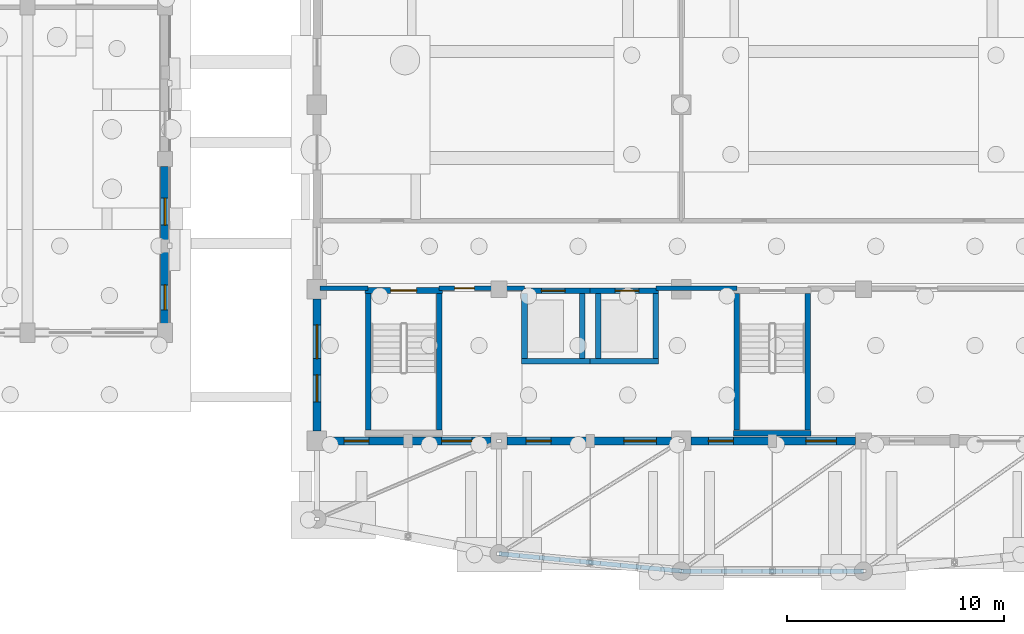
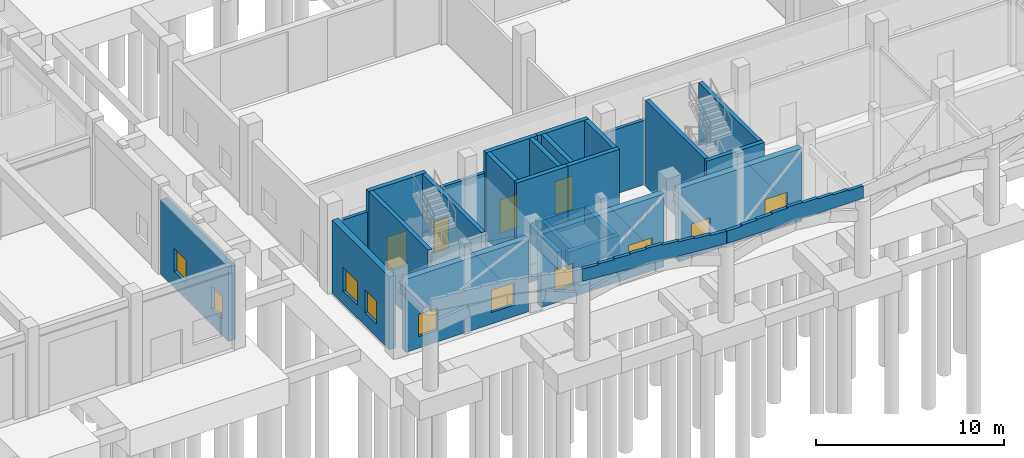
# One storey, part 38 of 60: 32 walls, 10 windows, 4 doors, 14 openings.
"""IFC4 building model written with IfcOpenShell, lengths in metres."""

from ifc_helpers import new_model, si_unit, direction, frame, frame_2d, origin, place, context, subcontext, project, spatial, polyline, rectangle, outline, extrude, material, layer, layer_set, type_object, element, fill, save


model = new_model("IFC4")

# Units and contexts
model_context = context("Model", 3, precision=1e-05, world=origin(), true_north=direction((0.0, 1.0)))
body_context = subcontext(model_context, "Body", "Model", "MODEL_VIEW")
ifc_project = project(units=[si_unit("LENGTHUNIT", "METRE"), si_unit("AREAUNIT", "SQUARE_METRE"), si_unit("VOLUMEUNIT", "CUBIC_METRE"), si_unit("PLANEANGLEUNIT", "RADIAN"), si_unit("MASSUNIT", "GRAM", prefix="KILO")], contexts=[model_context])

# Site, building, storey
site_placement = place(None, origin())
site = spatial("IfcSite", under=ifc_project, at=site_placement, CompositionType="ELEMENT")
building_placement = place(site_placement, origin())
building = spatial("IfcBuilding", under=site, at=building_placement, Name="Trellovar Central Fire Station", CompositionType="ELEMENT")
storey_placement = place(building_placement, origin())
storey = spatial("IfcBuildingStorey", under=building, at=storey_placement, Name="L01", CompositionType="ELEMENT", Elevation=0.0)

# Wall, openings, windows
ifc_material_1 = material(Name="Catalan polychrome brickwork with insulated cavity", Category="masonry")
ifc_layer_1 = layer(ifc_material_1, 0.419921875)
ifc_layer_set_1 = layer_set([ifc_layer_1], Name="Catalan polychrome brickwork with insulated cavity")
wall_type_1 = type_object("IfcWallType", Name="EW-1", PredefinedType="STANDARD", material=ifc_layer_set_1)
wall_1_placement = place(storey_placement, frame((98.5, 14.39990234375, 0.0), z_axis=(0.0, 0.0, 1.0), x_axis=(0.0, 1.0, 0.0)))
wall_1 = element("IfcWall", 1, at=wall_1_placement, inside=storey, type_object=wall_type_1, Name="V1 E gable lower wall 1", PredefinedType="STANDARD", context=body_context, shape_type="SweptSolid", body=[
    extrude(rectangle(XDim=7.25, YDim=0.419921875, at=frame_2d((3.625, 0.0))), origin(), (0.0, 0.0, 1.0), 4.840087890625),
])
opening_1_placement = place(wall_1_placement, frame((0.64990234375, 0.0, 1.050048828125)))
opening_1 = element("IfcOpeningElement", 2, at=opening_1_placement, cuts=wall_1, Name="Opening W-01", PredefinedType="OPENING", context=body_context, shape_type="SweptSolid", body=[
    extrude(rectangle(XDim=1.14990234375, YDim=1.449951171875, at=frame_2d((0.574951171875, 0.72509765625))), frame((0.0, 0.219970703125, 0.0), z_axis=(0.0, -1.0, 0.0), x_axis=(1.0, 0.0, 0.0)), (0.0, 0.0, 1.0), 0.43994140625),
])
opening_2_placement = place(wall_1_placement, frame((4.550048828125, 0.0, 1.050048828125)))
opening_2 = element("IfcOpeningElement", 3, at=opening_2_placement, cuts=wall_1, Name="Opening W-14", PredefinedType="OPENING", context=body_context, shape_type="SweptSolid", body=[
    extrude(rectangle(XDim=1.25, YDim=1.5, at=frame_2d((0.625, 0.75))), frame((0.0, 0.219970703125, 0.0), z_axis=(0.0, -1.0, 0.0), x_axis=(1.0, 0.0, 0.0)), (0.0, 0.0, 1.0), 0.43994140625),
])
ifc_material_2 = material(Name="Thermally broken bronze anodized aluminum", Category="aluminium")
window_type_1 = type_object("IfcWindowType", Name="WIN-01", PartitioningType="SINGLE_PANEL", PredefinedType="WINDOW", material=ifc_material_2)
window_1_placement = place(opening_1_placement, origin())
window_1 = element("IfcWindow", 4, at=window_1_placement, inside=storey, type_object=window_type_1, Name="L01 window W-01", OverallHeight=1.449951171875, OverallWidth=1.14990234375, PartitioningType="SINGLE_PANEL", PredefinedType="WINDOW", context=body_context, shape_type="SweptSolid", body=[
    extrude(rectangle(XDim=1.14990234375, YDim=1.449951171875, at=frame_2d((0.574951171875, 0.72509765625))), frame((0.0, 0.030029296875, 0.0), z_axis=(0.0, -1.0, 0.0), x_axis=(1.0, 0.0, 0.0)), (0.0, 0.0, 1.0), 0.06005859375),
])
fill(opening_1, window_1)
ifc_material_3 = material(Name="Thermally broken bronze anodized aluminum", Category="aluminium")
window_type_2 = type_object("IfcWindowType", Name="WIN-14", PartitioningType="SINGLE_PANEL", PredefinedType="WINDOW", material=ifc_material_3)
window_2_placement = place(opening_2_placement, origin())
window_2 = element("IfcWindow", 5, at=window_2_placement, inside=storey, type_object=window_type_2, Name="L01 window W-14", OverallHeight=1.5, OverallWidth=1.25, PartitioningType="SINGLE_PANEL", PredefinedType="WINDOW", context=body_context, shape_type="SweptSolid", body=[
    extrude(rectangle(XDim=1.25, YDim=1.5, at=frame_2d((0.625, 0.75))), frame((0.0, 0.030029296875, 0.0), z_axis=(0.0, -1.0, 0.0), x_axis=(1.0, 0.0, 0.0)), (0.0, 0.0, 1.0), 0.06005859375),
])
fill(opening_2, window_2)

ifc_material_4 = material(Name="Catalan polychrome brickwork with insulated cavity", Category="masonry")
ifc_layer_2 = layer(ifc_material_4, 0.3798828125)
ifc_layer_set_2 = layer_set([ifc_layer_2], Name="Catalan polychrome brickwork with insulated cavity")
wall_type_2 = type_object("IfcWallType", Name="EW-2", PredefinedType="STANDARD", material=ifc_layer_set_2)
wall_2_placement = place(storey_placement, frame((105.949951171875, 9.0, 0.0), z_axis=(0.0, 0.0, 1.0), x_axis=(1.0, 0.0, 0.0)))
wall_2 = element("IfcWall", 6, at=wall_2_placement, inside=storey, type_object=wall_type_2, Name="V5 L01 south wall 1", PredefinedType="STANDARD", context=body_context, shape_type="SweptSolid", body=[
    extrude(rectangle(XDim=7.574951171875, YDim=0.3798828125, at=frame_2d((3.78759765625, 0.0))), origin(), (0.0, 0.0, 1.0), 4.75),
])
opening_3_placement = place(wall_2_placement, frame((0.800048828125, 0.0, 0.75)))
opening_3 = element("IfcOpeningElement", 7, at=opening_3_placement, cuts=wall_2, Name="Opening W-01", PredefinedType="OPENING", context=body_context, shape_type="SweptSolid", body=[
    extrude(rectangle(XDim=1.14990234375, YDim=1.449951171875, at=frame_2d((0.574951171875, 0.72509765625))), frame((0.0, 0.199951171875, 0.0), z_axis=(0.0, -1.0, 0.0), x_axis=(1.0, 0.0, 0.0)), (0.0, 0.0, 1.0), 0.39990234375),
])
opening_4_placement = place(wall_2_placement, frame((5.300048828125, 0.0, 0.75)))
opening_4 = element("IfcOpeningElement", 8, at=opening_4_placement, cuts=wall_2, Name="Opening W-22", PredefinedType="OPENING", context=body_context, shape_type="SweptSolid", body=[
    extrude(rectangle(XDim=1.39990234375, YDim=1.449951171875, at=frame_2d((0.699951171875, 0.72509765625))), frame((0.0, 0.199951171875, 0.0), z_axis=(0.0, -1.0, 0.0), x_axis=(1.0, 0.0, 0.0)), (0.0, 0.0, 1.0), 0.39990234375),
])
window_3_placement = place(opening_3_placement, origin())
window_3 = element("IfcWindow", 9, at=window_3_placement, inside=storey, type_object=window_type_1, Name="L01 window W-01", OverallHeight=1.449951171875, OverallWidth=1.14990234375, PartitioningType="SINGLE_PANEL", PredefinedType="WINDOW", context=body_context, shape_type="SweptSolid", body=[
    extrude(rectangle(XDim=1.14990234375, YDim=1.449951171875, at=frame_2d((0.574951171875, 0.72509765625))), frame((0.0, 0.030029296875, 0.0), z_axis=(0.0, -1.0, 0.0), x_axis=(1.0, 0.0, 0.0)), (0.0, 0.0, 1.0), 0.06005859375),
])
fill(opening_3, window_3)
ifc_material_5 = material(Name="Thermally broken bronze anodized aluminum", Category="aluminium")
window_type_3 = type_object("IfcWindowType", Name="WIN-22", PartitioningType="DOUBLE_PANEL_VERTICAL", PredefinedType="WINDOW", material=ifc_material_5)
window_4_placement = place(opening_4_placement, origin())
window_4 = element("IfcWindow", 10, at=window_4_placement, inside=storey, type_object=window_type_3, Name="L01 window W-22", OverallHeight=1.449951171875, OverallWidth=1.39990234375, PartitioningType="DOUBLE_PANEL_VERTICAL", PredefinedType="WINDOW", context=body_context, shape_type="SweptSolid", body=[
    extrude(rectangle(XDim=1.39990234375, YDim=1.449951171875, at=frame_2d((0.699951171875, 0.72509765625))), frame((0.0, 0.030029296875, 0.0), z_axis=(0.0, -1.0, 0.0), x_axis=(1.0, 0.0, 0.0)), (0.0, 0.0, 1.0), 0.06005859375),
])
fill(opening_4, window_4)

wall_3_placement = place(storey_placement, frame((114.27490234375, 9.0, 0.0), z_axis=(0.0, 0.0, 1.0), x_axis=(1.0, 0.0, 0.0)))
wall_3 = element("IfcWall", 11, at=wall_3_placement, inside=storey, type_object=wall_type_2, Name="V5 L01 south wall 2", PredefinedType="STANDARD", context=body_context, shape_type="SweptSolid", body=[
    extrude(rectangle(XDim=7.5751953125, YDim=0.3798828125, at=frame_2d((3.78759765625, 0.0))), origin(), (0.0, 0.0, 1.0), 4.75),
])
opening_5_placement = place(wall_3_placement, frame((0.875, 0.0, 0.75)))
opening_5 = element("IfcOpeningElement", 12, at=opening_5_placement, cuts=wall_3, Name="Opening W-01", PredefinedType="OPENING", context=body_context, shape_type="SweptSolid", body=[
    extrude(rectangle(XDim=1.14990234375, YDim=1.449951171875, at=frame_2d((0.574951171875, 0.72509765625))), frame((0.0, 0.199951171875, 0.0), z_axis=(0.0, -1.0, 0.0), x_axis=(1.0, 0.0, 0.0)), (0.0, 0.0, 1.0), 0.39990234375),
])
opening_6_placement = place(wall_3_placement, frame((5.375, 0.0, 0.75)))
opening_6 = element("IfcOpeningElement", 13, at=opening_6_placement, cuts=wall_3, Name="Opening W-18", PredefinedType="OPENING", context=body_context, shape_type="SweptSolid", body=[
    extrude(rectangle(XDim=1.5, YDim=1.39990234375, at=frame_2d((0.75, 0.699951171875))), frame((0.0, 0.199951171875, 0.0), z_axis=(0.0, -1.0, 0.0), x_axis=(1.0, 0.0, 0.0)), (0.0, 0.0, 1.0), 0.39990234375),
])
window_5_placement = place(opening_5_placement, origin())
window_5 = element("IfcWindow", 14, at=window_5_placement, inside=storey, type_object=window_type_1, Name="L01 window W-01", OverallHeight=1.449951171875, OverallWidth=1.14990234375, PartitioningType="SINGLE_PANEL", PredefinedType="WINDOW", context=body_context, shape_type="SweptSolid", body=[
    extrude(rectangle(XDim=1.14990234375, YDim=1.449951171875, at=frame_2d((0.574951171875, 0.72509765625))), frame((0.0, 0.030029296875, 0.0), z_axis=(0.0, -1.0, 0.0), x_axis=(1.0, 0.0, 0.0)), (0.0, 0.0, 1.0), 0.06005859375),
])
fill(opening_5, window_5)
ifc_material_6 = material(Name="Thermally broken bronze anodized aluminum", Category="aluminium")
window_type_4 = type_object("IfcWindowType", Name="WIN-18", PartitioningType="DOUBLE_PANEL_VERTICAL", PredefinedType="WINDOW", material=ifc_material_6)
window_6_placement = place(opening_6_placement, origin())
window_6 = element("IfcWindow", 15, at=window_6_placement, inside=storey, type_object=window_type_4, Name="L01 window W-18", OverallHeight=1.39990234375, OverallWidth=1.5, PartitioningType="DOUBLE_PANEL_VERTICAL", PredefinedType="WINDOW", context=body_context, shape_type="SweptSolid", body=[
    extrude(rectangle(XDim=1.5, YDim=1.39990234375, at=frame_2d((0.75, 0.699951171875))), frame((0.0, 0.030029296875, 0.0), z_axis=(0.0, -1.0, 0.0), x_axis=(1.0, 0.0, 0.0)), (0.0, 0.0, 1.0), 0.06005859375),
])
fill(opening_6, window_6)

wall_4_placement = place(storey_placement, frame((122.75, 9.0, 0.0), z_axis=(0.0, 0.0, 1.0), x_axis=(1.0, 0.0, 0.0)))
wall_4 = element("IfcWall", 16, at=wall_4_placement, inside=storey, type_object=wall_type_2, Name="V5 L01 south wall 3", PredefinedType="STANDARD", context=body_context, shape_type="SweptSolid", body=[
    extrude(rectangle(XDim=7.574951171875, YDim=0.3798828125, at=frame_2d((3.78759765625, 0.0))), origin(), (0.0, 0.0, 1.0), 4.75),
])
opening_7_placement = place(wall_4_placement, frame((0.800048828125, 0.0, 0.75)))
opening_7 = element("IfcOpeningElement", 17, at=opening_7_placement, cuts=wall_4, Name="Opening W-01", PredefinedType="OPENING", context=body_context, shape_type="SweptSolid", body=[
    extrude(rectangle(XDim=1.14990234375, YDim=1.449951171875, at=frame_2d((0.574951171875, 0.72509765625))), frame((0.0, 0.199951171875, 0.0), z_axis=(0.0, -1.0, 0.0), x_axis=(1.0, 0.0, 0.0)), (0.0, 0.0, 1.0), 0.39990234375),
])
opening_8_placement = place(wall_4_placement, frame((5.300048828125, 0.0, 0.75)))
opening_8 = element("IfcOpeningElement", 18, at=opening_8_placement, cuts=wall_4, Name="Opening W-22", PredefinedType="OPENING", context=body_context, shape_type="SweptSolid", body=[
    extrude(rectangle(XDim=1.39990234375, YDim=1.449951171875, at=frame_2d((0.699951171875, 0.72509765625))), frame((0.0, 0.199951171875, 0.0), z_axis=(0.0, -1.0, 0.0), x_axis=(1.0, 0.0, 0.0)), (0.0, 0.0, 1.0), 0.39990234375),
])
window_7_placement = place(opening_7_placement, origin())
window_7 = element("IfcWindow", 19, at=window_7_placement, inside=storey, type_object=window_type_1, Name="L01 window W-01", OverallHeight=1.449951171875, OverallWidth=1.14990234375, PartitioningType="SINGLE_PANEL", PredefinedType="WINDOW", context=body_context, shape_type="SweptSolid", body=[
    extrude(rectangle(XDim=1.14990234375, YDim=1.449951171875, at=frame_2d((0.574951171875, 0.72509765625))), frame((0.0, 0.030029296875, 0.0), z_axis=(0.0, -1.0, 0.0), x_axis=(1.0, 0.0, 0.0)), (0.0, 0.0, 1.0), 0.06005859375),
])
fill(opening_7, window_7)
window_8_placement = place(opening_8_placement, origin())
window_8 = element("IfcWindow", 20, at=window_8_placement, inside=storey, type_object=window_type_3, Name="L01 window W-22", OverallHeight=1.449951171875, OverallWidth=1.39990234375, PartitioningType="DOUBLE_PANEL_VERTICAL", PredefinedType="WINDOW", context=body_context, shape_type="SweptSolid", body=[
    extrude(rectangle(XDim=1.39990234375, YDim=1.449951171875, at=frame_2d((0.699951171875, 0.72509765625))), frame((0.0, 0.030029296875, 0.0), z_axis=(0.0, -1.0, 0.0), x_axis=(1.0, 0.0, 0.0)), (0.0, 0.0, 1.0), 0.06005859375),
])
fill(opening_8, window_8)

wall_5_placement = place(storey_placement, frame((105.5, 15.550048828125, 0.0), z_axis=(0.0, 0.0, 1.0), x_axis=(0.0, -1.0, 0.0)))
wall_5 = element("IfcWall", 21, at=wall_5_placement, inside=storey, type_object=wall_type_2, Name="V5 L01 west court wall", PredefinedType="STANDARD", context=body_context, shape_type="SweptSolid", body=[
    extrude(rectangle(XDim=6.10009765625, YDim=0.3798828125, at=frame_2d((3.050048828125, 0.0))), origin(), (0.0, 0.0, 1.0), 4.75),
])
opening_9_placement = place(wall_5_placement, frame((1.199951171875, 0.0, 0.85009765625)))
opening_9 = element("IfcOpeningElement", 22, at=opening_9_placement, cuts=wall_5, Name="Opening W-02", PredefinedType="OPENING", context=body_context, shape_type="SweptSolid", body=[
    extrude(rectangle(XDim=1.550048828125, YDim=1.550048828125, at=frame_2d((0.77490234375, 0.77490234375))), frame((0.0, 0.199951171875, 0.0), z_axis=(0.0, -1.0, 0.0), x_axis=(1.0, 0.0, 0.0)), (0.0, 0.0, 1.0), 0.39990234375),
])
opening_10_placement = place(wall_5_placement, frame((3.5, 0.0, 0.85009765625)))
opening_10 = element("IfcOpeningElement", 23, at=opening_10_placement, cuts=wall_5, Name="Opening W-14", PredefinedType="OPENING", context=body_context, shape_type="SweptSolid", body=[
    extrude(rectangle(XDim=1.25, YDim=1.5, at=frame_2d((0.625, 0.75))), frame((0.0, 0.199951171875, 0.0), z_axis=(0.0, -1.0, 0.0), x_axis=(1.0, 0.0, 0.0)), (0.0, 0.0, 1.0), 0.39990234375),
])
ifc_material_7 = material(Name="Thermally broken bronze anodized aluminum", Category="aluminium")
window_type_5 = type_object("IfcWindowType", Name="WIN-02", PartitioningType="DOUBLE_PANEL_VERTICAL", PredefinedType="WINDOW", material=ifc_material_7)
window_9_placement = place(opening_9_placement, origin())
window_9 = element("IfcWindow", 24, at=window_9_placement, inside=storey, type_object=window_type_5, Name="L01 window W-02", OverallHeight=1.550048828125, OverallWidth=1.550048828125, PartitioningType="DOUBLE_PANEL_VERTICAL", PredefinedType="WINDOW", context=body_context, shape_type="SweptSolid", body=[
    extrude(rectangle(XDim=1.550048828125, YDim=1.550048828125, at=frame_2d((0.77490234375, 0.77490234375))), frame((0.0, 0.030029296875, 0.0), z_axis=(0.0, -1.0, 0.0), x_axis=(1.0, 0.0, 0.0)), (0.0, 0.0, 1.0), 0.06005859375),
])
fill(opening_9, window_9)
window_10_placement = place(opening_10_placement, origin())
window_10 = element("IfcWindow", 25, at=window_10_placement, inside=storey, type_object=window_type_2, Name="L01 window W-14", OverallHeight=1.5, OverallWidth=1.25, PartitioningType="SINGLE_PANEL", PredefinedType="WINDOW", context=body_context, shape_type="SweptSolid", body=[
    extrude(rectangle(XDim=1.25, YDim=1.5, at=frame_2d((0.625, 0.75))), frame((0.0, 0.030029296875, 0.0), z_axis=(0.0, -1.0, 0.0), x_axis=(1.0, 0.0, 0.0)), (0.0, 0.0, 1.0), 0.06005859375),
])
fill(opening_10, window_10)

# Walls
ifc_material_8 = material(Name="Textured desert sandstone masonry", Category="masonry")
ifc_layer_3 = layer(ifc_material_8, 0.2099609375)
ifc_layer_set_3 = layer_set([ifc_layer_3], Name="Textured desert sandstone masonry")
wall_type_3 = type_object("IfcWallType", Name="PAR-3", PredefinedType="PARAPET", material=ifc_layer_set_3)
wall_6_placement = place(storey_placement, frame((113.89990234375, 3.800048828125, 4.949951171875), z_axis=(0.0, 0.0, 1.0), x_axis=(0.995495082479, -0.094813188749, 0.0)))
element("IfcWall", 26, at=wall_6_placement, inside=storey, type_object=wall_type_3, Name="L01 Catalan stepped parapet", PredefinedType="PARAPET", context=body_context, shape_type="SweptSolid", body=[
    extrude(outline(polyline([(0.0, 0.0), (8.438232421875, 0.0), (8.43798828125, 0.800048828125), (7.50146484375, 0.800048828125), (7.50048828125, 0.862548828125), (6.56396484375, 0.862548828125), (6.56298828125, 0.925048828125), (5.626220703125, 0.925048828125), (5.625244140625, 0.987548828125), (4.688720703125, 0.987548828125), (4.687744140625, 1.050048828125), (3.751220703125, 1.050048828125), (3.750244140625, 0.987548828125), (2.813720703125, 0.987548828125), (2.812744140625, 0.925048828125), (1.876220703125, 0.925048828125), (1.875, 0.862548828125), (0.938720703125, 0.862548828125), (0.9375, 0.800048828125), (0.0, 0.800048828125), (0.0, 0.0)])), frame((0.0, 0.10498046875, 0.0), z_axis=(0.0, -1.0, 0.0), x_axis=(1.0, 0.0, 0.0)), (0.0, 0.0, 1.0), 0.2099609375),
])
wall_7_placement = place(storey_placement, frame((122.300048828125, 3.0, 4.949951171875), z_axis=(0.0, 0.0, 1.0), x_axis=(1.0, 0.0, 0.0)))
element("IfcWall", 27, at=wall_7_placement, inside=storey, type_object=wall_type_3, Name="L01 Catalan stepped parapet", PredefinedType="PARAPET", context=body_context, shape_type="SweptSolid", body=[
    extrude(outline(polyline([(0.0, 0.0), (8.39990234375, 0.0), (8.39990234375, 0.800048828125), (7.4677734375, 0.800048828125), (7.466796875, 0.862548828125), (6.5341796875, 0.862548828125), (6.533203125, 0.925048828125), (5.60107421875, 0.925048828125), (5.60009765625, 0.987548828125), (4.667724609375, 0.987548828125), (4.666748046875, 1.050048828125), (3.734375, 1.050048828125), (3.7333984375, 0.987548828125), (2.801025390625, 0.987548828125), (2.800048828125, 0.925048828125), (1.86767578125, 0.925048828125), (1.86669921875, 0.862548828125), (0.934326171875, 0.862548828125), (0.933349609375, 0.800048828125), (0.0, 0.800048828125), (0.0, 0.0)])), frame((0.0, 0.10498046875, 0.0), z_axis=(0.0, -1.0, 0.0), x_axis=(1.0, 0.0, 0.0)), (0.0, 0.0, 1.0), 0.2099609375),
])
ifc_material_9 = material(Name="Acoustic concrete masonry unit", Category="masonry")
ifc_layer_4 = layer(ifc_material_9, 0.199951171875)
ifc_layer_set_4 = layer_set([ifc_layer_4], Name="Acoustic concrete masonry unit")
wall_type_4 = type_object("IfcWallType", Name="PT-1", PredefinedType="PARTITIONING", material=ifc_layer_set_4)
wall_8_placement = place(storey_placement, frame((105.64990234375, 16.050048828125, 0.0), z_axis=(0.0, 0.0, 1.0), x_axis=(1.0, 0.0, 0.0)))
element("IfcWall", 28, at=wall_8_placement, inside=storey, type_object=wall_type_4, Name="V5 L01 south corridor spine", PredefinedType="PARTITIONING", context=body_context, shape_type="SweptSolid", body=[
    extrude(rectangle(XDim=2.210205078125, YDim=0.199951171875, at=frame_2d((1.10498046875, 0.0))), origin(), (0.0, 0.0, 1.0), 4.18994140625),
])

# Wall, opening, door
wall_9_placement = place(storey_placement, frame((111.139892578125, 16.050048828125, 0.0), z_axis=(0.0, 0.0, 1.0), x_axis=(1.0, 0.0, 0.0)))
wall_9 = element("IfcWall", 29, at=wall_9_placement, inside=storey, type_object=wall_type_4, Name="V5 L01 south corridor spine", PredefinedType="PARTITIONING", context=body_context, shape_type="SweptSolid", body=[
    extrude(rectangle(XDim=3.93017578125, YDim=0.199951171875, at=frame_2d((1.965087890625, 0.0))), origin(), (0.0, 0.0, 1.0), 4.18994140625),
])
opening_11_placement = place(wall_9_placement, frame((0.715087890625, 0.0, 0.0)))
opening_11 = element("IfcOpeningElement", 30, at=opening_11_placement, cuts=wall_9, Name="Opening ID-11", PredefinedType="OPENING", context=body_context, shape_type="SweptSolid", body=[
    extrude(rectangle(XDim=0.89990234375, YDim=2.080078125, at=frame_2d((0.449951171875, 1.0400390625))), frame((0.0, 0.10986328125, 0.0), z_axis=(0.0, -1.0, 0.0), x_axis=(1.0, 0.0, 0.0)), (0.0, 0.0, 1.0), 0.219970703125),
])
ifc_material_10 = material(Name="Solid core acoustic white oak veneer", Category="wood")
door_type_1 = type_object("IfcDoorType", Name="DR-INT11", OperationType="SINGLE_SWING_LEFT", PredefinedType="DOOR", material=ifc_material_10)
door_1_placement = place(opening_11_placement, origin())
door_1 = element("IfcDoor", 31, at=door_1_placement, inside=storey, type_object=door_type_1, Name="V5 L01 south bay door", OperationType="SINGLE_SWING_RIGHT", OverallHeight=2.080078125, OverallWidth=0.89990234375, PredefinedType="DOOR", context=body_context, shape_type="SweptSolid", body=[
    extrude(rectangle(XDim=0.89990234375, YDim=2.080078125, at=frame_2d((0.449951171875, 1.0400390625))), frame((0.0, 0.02490234375, 0.0), z_axis=(0.0, -1.0, 0.0), x_axis=(1.0, 0.0, 0.0)), (0.0, 0.0, 1.0), 0.050048828125),
])
fill(opening_11, door_1)

# Wall
wall_10_placement = place(storey_placement, frame((121.1298828125, 16.050048828125, 0.0), z_axis=(0.0, 0.0, 1.0), x_axis=(1.0, 0.0, 0.0)))
element("IfcWall", 32, at=wall_10_placement, inside=storey, type_object=wall_type_4, Name="V5 L01 south corridor spine", PredefinedType="PARTITIONING", context=body_context, shape_type="SweptSolid", body=[
    extrude(rectangle(XDim=3.730224609375, YDim=0.199951171875, at=frame_2d((1.865234375, 0.0))), origin(), (0.0, 0.0, 1.0), 4.18994140625),
])

# Wall, opening, door
ifc_material_11 = material(Name="Concrete C40/50", Category="concrete")
ifc_layer_5 = layer(ifc_material_11, 0.280029296875)
ifc_layer_set_5 = layer_set([ifc_layer_5], Name="Concrete C40/50")
wall_type_5 = type_object("IfcWallType", Name="SW-1", PredefinedType="SHEAR", material=ifc_layer_set_5)
wall_11_placement = place(storey_placement, frame((107.719970703125, 15.93994140625, 0.0), z_axis=(0.0, 0.0, 1.0), x_axis=(1.0, 0.0, 0.0)))
wall_11 = element("IfcWall", 33, at=wall_11_placement, inside=storey, type_object=wall_type_5, Name="Stair ST-01 L01 front corridor wall", PredefinedType="SHEAR", context=body_context, shape_type="SweptSolid", body=[
    extrude(rectangle(XDim=3.56005859375, YDim=0.280029296875, at=frame_2d((1.780029296875, 0.0))), origin(), (0.0, 0.0, 1.0), 5.60009765625),
])
opening_12_placement = place(wall_11_placement, frame((1.179931640625, 0.0, 0.0)))
opening_12 = element("IfcOpeningElement", 34, at=opening_12_placement, cuts=wall_11, Name="Opening SD-1", PredefinedType="OPENING", context=body_context, shape_type="SweptSolid", body=[
    extrude(rectangle(XDim=1.199951171875, YDim=2.14990234375, at=frame_2d((0.60009765625, 1.074951171875))), frame((0.0, 0.14990234375, 0.0), z_axis=(0.0, -1.0, 0.0), x_axis=(1.0, 0.0, 0.0)), (0.0, 0.0, 1.0), 0.300048828125),
])
ifc_material_12 = material(Name="Hollow galvanized steel with acoustic core", Category="steel")
door_type_2 = type_object("IfcDoorType", Name="DR-STR1", OperationType="SINGLE_SWING_LEFT", PredefinedType="DOOR", material=ifc_material_12)
door_2_placement = place(opening_12_placement, origin())
door_2 = element("IfcDoor", 35, at=door_2_placement, inside=storey, type_object=door_type_2, Name="Stair ST-01 L01 fire door", OperationType="SINGLE_SWING_LEFT", OverallHeight=2.14990234375, OverallWidth=1.199951171875, PredefinedType="DOOR", context=body_context, shape_type="SweptSolid", body=[
    extrude(rectangle(XDim=1.199951171875, YDim=2.14990234375, at=frame_2d((0.60009765625, 1.074951171875))), frame((0.0, 0.02490234375, 0.0), z_axis=(0.0, -1.0, 0.0), x_axis=(1.0, 0.0, 0.0)), (0.0, 0.0, 1.0), 0.050048828125),
])
fill(opening_12, door_2)

# Walls
ifc_material_13 = material(Name="Concrete C40/50", Category="concrete")
ifc_layer_6 = layer(ifc_material_13, 0.25)
ifc_layer_set_6 = layer_set([ifc_layer_6], Name="Concrete C40/50")
wall_type_6 = type_object("IfcWallType", Name="SW-2", PredefinedType="SHEAR", material=ifc_layer_set_6)
for number, where, z_axis, x_axis, name in (
    (36, (107.860107421875, 15.800048828125, 0.0), (0.0, 0.0, 1.0), (0.0, -1.0, 0.0), "Stair ST-01 L01 left wall"),
    (37, (111.139892578125, 9.5, 0.0), (0.0, 0.0, 1.0), (0.0, 1.0, 0.0), "Stair ST-01 L01 right wall"),
):
    element("IfcWall", number, at=place(storey_placement, frame(where, z_axis=z_axis, x_axis=x_axis)), inside=storey, type_object=wall_type_6, Name=name, PredefinedType="SHEAR", context=body_context, shape_type="SweptSolid", body=[
        extrude(rectangle(XDim=6.300048828125, YDim=0.25, at=frame_2d((3.14990234375, 0.0))), origin(), (0.0, 0.0, 1.0), 5.60009765625),
    ])
wall_12_placement = place(storey_placement, frame((128.280029296875, 9.360107421875, 0.0), z_axis=(0.0, 0.0, 1.0), x_axis=(-1.0, 0.0, 0.0)))
element("IfcWall", 38, at=wall_12_placement, inside=storey, type_object=wall_type_6, Name="Stair ST-02 L01 rear wall", PredefinedType="SHEAR", context=body_context, shape_type="SweptSolid", body=[
    extrude(rectangle(XDim=3.56005859375, YDim=0.25, at=frame_2d((1.780029296875, 0.0))), origin(), (0.0, 0.0, 1.0), 5.60009765625),
])
for number, where, z_axis, x_axis, name in (
    (39, (124.860107421875, 15.800048828125, 0.0), (0.0, 0.0, 1.0), (0.0, -1.0, 0.0), "Stair ST-02 L01 left wall"),
    (40, (128.139892578125, 9.5, 0.0), (0.0, 0.0, 1.0), (0.0, 1.0, 0.0), "Stair ST-02 L01 right wall"),
):
    element("IfcWall", number, at=place(storey_placement, frame(where, z_axis=z_axis, x_axis=x_axis)), inside=storey, type_object=wall_type_6, Name=name, PredefinedType="SHEAR", context=body_context, shape_type="SweptSolid", body=[
        extrude(rectangle(XDim=6.300048828125, YDim=0.25, at=frame_2d((3.14990234375, 0.0))), origin(), (0.0, 0.0, 1.0), 5.60009765625),
    ])
ifc_material_14 = material(Name="Concrete C40/50", Category="concrete")
ifc_layer_7 = layer(ifc_material_14, 0.260009765625)
ifc_layer_set_7 = layer_set([ifc_layer_7], Name="Concrete C40/50")
wall_type_7 = type_object("IfcWallType", Name="SW-4", PredefinedType="SHEAR", material=ifc_layer_set_7)
for number, where, z_axis, x_axis, name in (
    (41, (114.93994140625, 12.669921875, -1.14990234375), (0.0, 0.0, 1.0), (1.0, 0.0, 0.0), "Lift EL-01 pit wall S"),
    (42, (118.10009765625, 15.929931640625, -1.14990234375), (0.0, 0.0, 1.0), (-1.0, 0.0, 0.0), "Lift EL-01 pit wall N"),
):
    element("IfcWall", number, at=place(storey_placement, frame(where, z_axis=z_axis, x_axis=x_axis)), inside=storey, type_object=wall_type_7, Name=name, PredefinedType="SHEAR", context=body_context, shape_type="SweptSolid", body=[
        extrude(rectangle(XDim=3.16015625, YDim=0.260009765625, at=frame_2d((1.580078125, 0.0))), origin(), (0.0, 0.0, 1.0), 1.14990234375),
    ])
for number, where, z_axis, x_axis, name in (
    (43, (115.070068359375, 15.800048828125, -1.14990234375), (0.0, 0.0, 1.0), (0.0, -1.0, 0.0), "Lift EL-01 pit wall W"),
    (44, (117.72998046875, 12.800048828125, -1.14990234375), (0.0, 0.0, 1.0), (0.0, 1.0, 0.0), "Lift EL-01 pit wall E"),
):
    element("IfcWall", number, at=place(storey_placement, frame(where, z_axis=z_axis, x_axis=x_axis)), inside=storey, type_object=wall_type_7, Name=name, PredefinedType="SHEAR", context=body_context, shape_type="SweptSolid", body=[
        extrude(rectangle(XDim=3.0, YDim=0.260009765625, at=frame_2d((1.5, 0.0))), origin(), (0.0, 0.0, 1.0), 1.14990234375),
    ])
wall_13_placement = place(storey_placement, frame((114.93994140625, 12.669921875, 0.0), z_axis=(0.0, 0.0, 1.0), x_axis=(1.0, 0.0, 0.0)))
element("IfcWall", 45, at=wall_13_placement, inside=storey, type_object=wall_type_7, Name="Lift EL-01 L01 S wall", PredefinedType="SHEAR", context=body_context, shape_type="SweptSolid", body=[
    extrude(rectangle(XDim=3.16015625, YDim=0.260009765625, at=frame_2d((1.580078125, 0.0))), origin(), (0.0, 0.0, 1.0), 5.60009765625),
])

# Wall, opening, door
wall_14_placement = place(storey_placement, frame((118.10009765625, 15.929931640625, 0.0), z_axis=(0.0, 0.0, 1.0), x_axis=(-1.0, 0.0, 0.0)))
wall_14 = element("IfcWall", 46, at=wall_14_placement, inside=storey, type_object=wall_type_7, Name="Lift EL-01 L01 N wall", PredefinedType="SHEAR", context=body_context, shape_type="SweptSolid", body=[
    extrude(rectangle(XDim=3.16015625, YDim=0.260009765625, at=frame_2d((1.580078125, 0.0))), origin(), (0.0, 0.0, 1.0), 5.60009765625),
])
opening_13_placement = place(wall_14_placement, frame((1.14990234375, 0.0, 0.0)))
opening_13 = element("IfcOpeningElement", 47, at=opening_13_placement, cuts=wall_14, Name="Opening LD-1", PredefinedType="OPENING", context=body_context, shape_type="SweptSolid", body=[
    extrude(rectangle(XDim=1.10009765625, YDim=2.14990234375, at=frame_2d((0.550048828125, 1.074951171875))), frame((0.0, 0.139892578125, 0.0), z_axis=(0.0, -1.0, 0.0), x_axis=(1.0, 0.0, 0.0)), (0.0, 0.0, 1.0), 0.280029296875),
])
ifc_material_15 = material(Name="Brushed stainless steel", Category="steel")
door_type_3 = type_object("IfcDoorType", Name="DR-LFT1", OperationType="SLIDING_TO_LEFT", PredefinedType="DOOR", material=ifc_material_15)
door_3_placement = place(opening_13_placement, origin())
door_3 = element("IfcDoor", 48, at=door_3_placement, inside=storey, type_object=door_type_3, Name="Elevator EL-01 L01 sliding landing door", OperationType="SLIDING_TO_LEFT", OverallHeight=2.14990234375, OverallWidth=1.10009765625, PredefinedType="DOOR", context=body_context, shape_type="SweptSolid", body=[
    extrude(rectangle(XDim=1.10009765625, YDim=2.14990234375, at=frame_2d((0.550048828125, 1.074951171875))), frame((0.0, 0.02490234375, 0.0), z_axis=(0.0, -1.0, 0.0), x_axis=(1.0, 0.0, 0.0)), (0.0, 0.0, 1.0), 0.050048828125),
])
fill(opening_13, door_3)

# Walls
for number, where, z_axis, x_axis, name in (
    (49, (115.070068359375, 15.800048828125, 0.0), (0.0, 0.0, 1.0), (0.0, -1.0, 0.0), "Lift EL-01 L01 W wall"),
    (50, (117.72998046875, 12.800048828125, 0.0), (0.0, 0.0, 1.0), (0.0, 1.0, 0.0), "Lift EL-01 L01 E wall"),
):
    element("IfcWall", number, at=place(storey_placement, frame(where, z_axis=z_axis, x_axis=x_axis)), inside=storey, type_object=wall_type_7, Name=name, PredefinedType="SHEAR", context=body_context, shape_type="SweptSolid", body=[
        extrude(rectangle(XDim=3.0, YDim=0.260009765625, at=frame_2d((1.5, 0.0))), origin(), (0.0, 0.0, 1.0), 5.60009765625),
    ])
for number, where, z_axis, x_axis, name in (
    (51, (118.10009765625, 12.669921875, -1.14990234375), (0.0, 0.0, 1.0), (1.0, 0.0, 0.0), "Lift EL-02 pit wall S"),
    (52, (121.260009765625, 15.929931640625, -1.14990234375), (0.0, 0.0, 1.0), (-1.0, 0.0, 0.0), "Lift EL-02 pit wall N"),
):
    element("IfcWall", number, at=place(storey_placement, frame(where, z_axis=z_axis, x_axis=x_axis)), inside=storey, type_object=wall_type_7, Name=name, PredefinedType="SHEAR", context=body_context, shape_type="SweptSolid", body=[
        extrude(rectangle(XDim=3.159912109375, YDim=0.260009765625, at=frame_2d((1.580078125, 0.0))), origin(), (0.0, 0.0, 1.0), 1.14990234375),
    ])
for number, where, z_axis, x_axis, name in (
    (53, (118.469970703125, 15.800048828125, -1.14990234375), (0.0, 0.0, 1.0), (0.0, -1.0, 0.0), "Lift EL-02 pit wall W"),
    (54, (121.1298828125, 12.800048828125, -1.14990234375), (0.0, 0.0, 1.0), (0.0, 1.0, 0.0), "Lift EL-02 pit wall E"),
):
    element("IfcWall", number, at=place(storey_placement, frame(where, z_axis=z_axis, x_axis=x_axis)), inside=storey, type_object=wall_type_7, Name=name, PredefinedType="SHEAR", context=body_context, shape_type="SweptSolid", body=[
        extrude(rectangle(XDim=3.0, YDim=0.260009765625, at=frame_2d((1.5, 0.0))), origin(), (0.0, 0.0, 1.0), 1.14990234375),
    ])
wall_15_placement = place(storey_placement, frame((118.10009765625, 12.669921875, 0.0), z_axis=(0.0, 0.0, 1.0), x_axis=(1.0, 0.0, 0.0)))
element("IfcWall", 55, at=wall_15_placement, inside=storey, type_object=wall_type_7, Name="Lift EL-02 L01 S wall", PredefinedType="SHEAR", context=body_context, shape_type="SweptSolid", body=[
    extrude(rectangle(XDim=3.159912109375, YDim=0.260009765625, at=frame_2d((1.580078125, 0.0))), origin(), (0.0, 0.0, 1.0), 5.60009765625),
])

# Wall, opening, door
wall_16_placement = place(storey_placement, frame((121.260009765625, 15.929931640625, 0.0), z_axis=(0.0, 0.0, 1.0), x_axis=(-1.0, 0.0, 0.0)))
wall_16 = element("IfcWall", 56, at=wall_16_placement, inside=storey, type_object=wall_type_7, Name="Lift EL-02 L01 N wall", PredefinedType="SHEAR", context=body_context, shape_type="SweptSolid", body=[
    extrude(rectangle(XDim=3.159912109375, YDim=0.260009765625, at=frame_2d((1.580078125, 0.0))), origin(), (0.0, 0.0, 1.0), 5.60009765625),
])
opening_14_placement = place(wall_16_placement, frame((0.909912109375, 0.0, 0.0)))
opening_14 = element("IfcOpeningElement", 57, at=opening_14_placement, cuts=wall_16, Name="Opening LD-1", PredefinedType="OPENING", context=body_context, shape_type="SweptSolid", body=[
    extrude(rectangle(XDim=1.10009765625, YDim=2.14990234375, at=frame_2d((0.550048828125, 1.074951171875))), frame((0.0, 0.139892578125, 0.0), z_axis=(0.0, -1.0, 0.0), x_axis=(1.0, 0.0, 0.0)), (0.0, 0.0, 1.0), 0.280029296875),
])
door_4_placement = place(opening_14_placement, origin())
door_4 = element("IfcDoor", 58, at=door_4_placement, inside=storey, type_object=door_type_3, Name="Elevator EL-02 L01 sliding landing door", OperationType="SLIDING_TO_LEFT", OverallHeight=2.14990234375, OverallWidth=1.10009765625, PredefinedType="DOOR", context=body_context, shape_type="SweptSolid", body=[
    extrude(rectangle(XDim=1.10009765625, YDim=2.14990234375, at=frame_2d((0.550048828125, 1.074951171875))), frame((0.0, 0.02490234375, 0.0), z_axis=(0.0, -1.0, 0.0), x_axis=(1.0, 0.0, 0.0)), (0.0, 0.0, 1.0), 0.050048828125),
])
fill(opening_14, door_4)

# Walls
for number, where, z_axis, x_axis, name in (
    (59, (118.469970703125, 15.800048828125, 0.0), (0.0, 0.0, 1.0), (0.0, -1.0, 0.0), "Lift EL-02 L01 W wall"),
    (60, (121.1298828125, 12.800048828125, 0.0), (0.0, 0.0, 1.0), (0.0, 1.0, 0.0), "Lift EL-02 L01 E wall"),
):
    element("IfcWall", number, at=place(storey_placement, frame(where, z_axis=z_axis, x_axis=x_axis)), inside=storey, type_object=wall_type_7, Name=name, PredefinedType="SHEAR", context=body_context, shape_type="SweptSolid", body=[
        extrude(rectangle(XDim=3.0, YDim=0.260009765625, at=frame_2d((1.5, 0.0))), origin(), (0.0, 0.0, 1.0), 5.60009765625),
    ])

save(model, "model.ifc")
